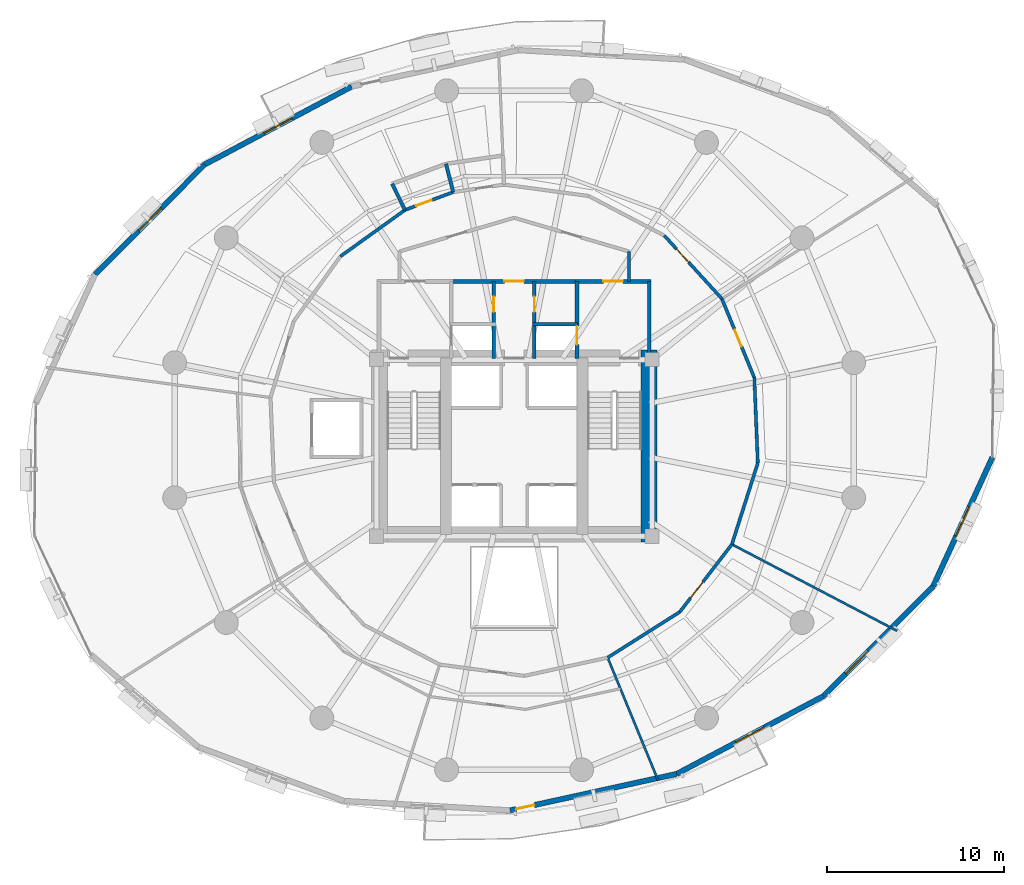
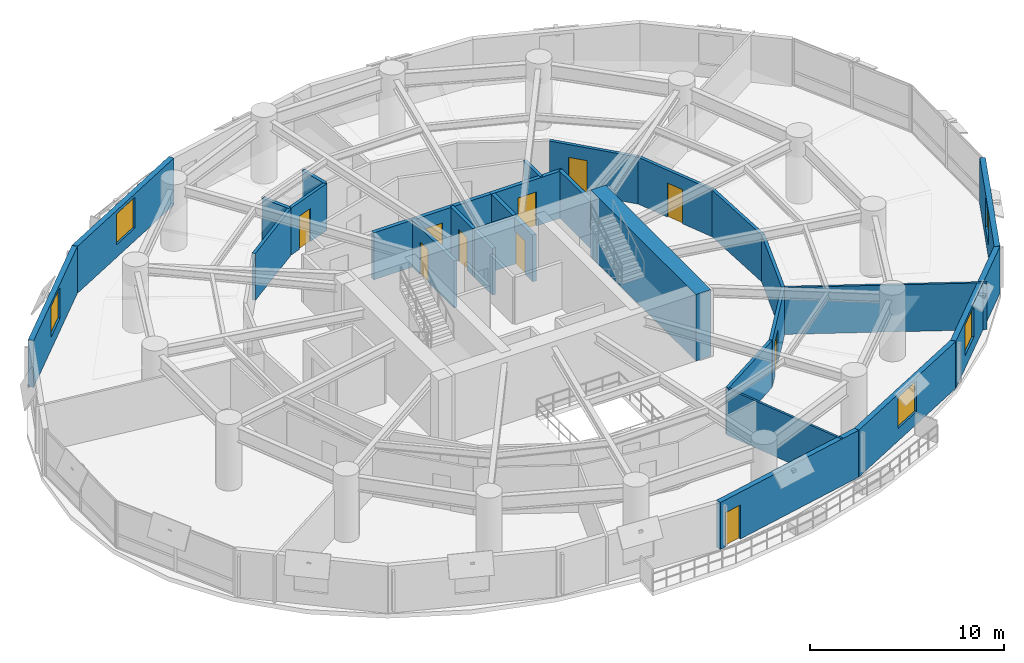
# One storey, part 13 of 17: 27 walls, 10 doors, 5 windows, 15 openings.
"""IFC4 building model written with IfcOpenShell, lengths in metres."""

from ifc_helpers import new_model, si_unit, direction, frame, frame_2d, origin, place, context, subcontext, project, spatial, rectangle, extrude, material, layer, layer_set, type_object, element, fill, save


model = new_model("IFC4")

# Units and contexts
model_context = context("Model", 3, precision=1e-05, world=origin(), true_north=direction((0.0, 1.0)))
body_context = subcontext(model_context, "Body", "Model", "MODEL_VIEW")
ifc_project = project(units=[si_unit("LENGTHUNIT", "METRE"), si_unit("AREAUNIT", "SQUARE_METRE"), si_unit("VOLUMEUNIT", "CUBIC_METRE"), si_unit("PLANEANGLEUNIT", "RADIAN"), si_unit("MASSUNIT", "GRAM", prefix="KILO"), si_unit("THERMODYNAMICTEMPERATUREUNIT", "KELVIN"), si_unit("POWERUNIT", "WATT")], contexts=[model_context])

# Site, building, storey
site_placement = place(None, origin())
site = spatial("IfcSite", under=ifc_project, at=site_placement, CompositionType="ELEMENT")
building_placement = place(site_placement, origin())
building = spatial("IfcBuilding", under=site, at=building_placement, Name="Ocrelia Relay Tower", CompositionType="ELEMENT")
storey_placement = place(building_placement, frame((0.0, 0.0, 84.60009765625)))
storey = spatial("IfcBuildingStorey", under=building, at=storey_placement, Name="L19", CompositionType="ELEMENT", Elevation=84.60009765625)

# Walls
ifc_material_1 = material(Name="Concrete C70/85", Category="concrete")
ifc_layer_1 = layer(ifc_material_1, 0.89990234375, Name="Concrete C70/85")
ifc_layer_set_1 = layer_set([ifc_layer_1], Name="Concrete C70/85")
wall_type_1 = type_object("IfcWallType", Name="CW-CORE-900", PredefinedType="SHEAR", material=ifc_layer_set_1)
wall_1_placement = place(storey_placement, frame((41.637939453125, 19.662109375, 0.0), z_axis=(0.0, 0.0, 1.0), x_axis=(0.0, 1.0, 0.0)))
element("IfcWall", 1, at=wall_1_placement, inside=storey, type_object=wall_type_1, Name="L19 Core Shear Wall E", PredefinedType="SHEAR", context=body_context, shape_type="SweptSolid", body=[
    extrude(rectangle(XDim=10.8759765625, YDim=0.89990234375, at=frame_2d((5.43798828125, 0.0))), origin(), (0.0, 0.0, 1.0), 4.199951171875),
])
ifc_material_2 = material(Name="Gypsum Fireboard Partition EI60", Category="gypsum")
ifc_layer_2 = layer(ifc_material_2, 0.179931640625, Name="Gypsum Fireboard Partition EI60")
ifc_layer_set_2 = layer_set([ifc_layer_2], Name="Gypsum Fireboard Partition EI60")
wall_type_2 = type_object("IfcWallType", Name="W-CORR-EI60-180", PredefinedType="PARTITIONING", material=ifc_layer_set_2)
wall_2_placement = place(storey_placement, frame((40.5, 36.122802734375, 0.0), z_axis=(0.0, 0.0, 1.0), x_axis=(0.0, -1.0, 0.0)))
element("IfcWall", 2, at=wall_2_placement, inside=storey, type_object=wall_type_2, Name="L19 Smoke Lobby East Return", PredefinedType="PARTITIONING", context=body_context, shape_type="SweptSolid", body=[
    extrude(rectangle(XDim=1.69287109375, YDim=0.179931640625, at=frame_2d((0.846435546875, 0.0))), origin(), (0.0, 0.0, 1.0), 2.9599609375),
])

# Wall, opening, door
wall_3_placement = place(storey_placement, frame((30.550048828125, 39.485595703125, 0.0), z_axis=(0.0, 0.0, 1.0), x_axis=(-0.937591807845, -0.34773783496, 0.0)))
wall_3 = element("IfcWall", 3, at=wall_3_placement, inside=storey, type_object=wall_type_2, Name="L19 Accessible Toilet Corridor Wall", PredefinedType="PARTITIONING", context=body_context, shape_type="SweptSolid", body=[
    extrude(rectangle(XDim=2.91015625, YDim=0.179931640625, at=frame_2d((1.455078125, 0.0))), origin(), (0.0, 0.0, 1.0), 2.9599609375),
])
opening_1_placement = place(wall_3_placement, frame((1.321044921875, 0.0, 0.0)))
opening_1 = element("IfcOpeningElement", 4, at=opening_1_placement, cuts=wall_3, Name="Opening D-WC92", PredefinedType="OPENING", context=body_context, shape_type="SweptSolid", body=[
    extrude(rectangle(XDim=0.919921875, YDim=2.10009765625, at=frame_2d((0.4599609375, 1.050048828125))), frame((0.0, 0.10009765625, 0.0), z_axis=(0.0, -1.0, 0.0), x_axis=(1.0, 0.0, 0.0)), (0.0, 0.0, 1.0), 0.199951171875),
])
ifc_material_3 = material(Name="Laminate washroom door", Category="wood")
door_type_1 = type_object("IfcDoorType", Name="DR-WC-920", OperationType="NOTDEFINED", PredefinedType="DOOR", material=ifc_material_3)
door_1_placement = place(opening_1_placement, origin())
door_1 = element("IfcDoor", 5, at=door_1_placement, inside=storey, type_object=door_type_1, Name="L19 Accessible Toilet Door", OperationType="SINGLE_SWING_LEFT", OverallHeight=2.10009765625, OverallWidth=0.919921875, PredefinedType="DOOR", context=body_context, shape_type="SweptSolid", body=[
    extrude(rectangle(XDim=0.919921875, YDim=2.10009765625, at=frame_2d((0.4599609375, 1.050048828125))), frame((0.0, 0.02490234375, 0.0), z_axis=(0.0, -1.0, 0.0), x_axis=(1.0, 0.0, 0.0)), (0.0, 0.0, 1.0), 0.050048828125),
])
fill(opening_1, door_1)

# Walls
wall_4_placement = place(storey_placement, frame((27.821533203125, 38.4736328125, 0.0), z_axis=(0.0, 0.0, 1.0), x_axis=(-0.812254756388, -0.583302846492, 0.0)))
element("IfcWall", 6, at=wall_4_placement, inside=storey, type_object=wall_type_2, Name="L19 Operations Control Office Corridor Partition 1", PredefinedType="PARTITIONING", context=body_context, shape_type="SweptSolid", body=[
    extrude(rectangle(XDim=4.514892578125, YDim=0.179931640625, at=frame_2d((2.25732421875, 0.0))), origin(), (0.0, 0.0, 1.0), 2.9599609375),
])
wall_5_placement = place(storey_placement, frame((39.293212890625, 13.125732421875, 0.0), z_axis=(0.0, 0.0, 1.0), x_axis=(0.844805378334, 0.535073707762, 0.0)))
element("IfcWall", 7, at=wall_5_placement, inside=storey, type_object=wall_type_2, Name="L19 Colocation Data Hall A Corridor Partition 1", PredefinedType="PARTITIONING", context=body_context, shape_type="SweptSolid", body=[
    extrude(rectangle(XDim=4.834228515625, YDim=0.179931640625, at=frame_2d((2.4169921875, 0.0))), origin(), (0.0, 0.0, 1.0), 2.9599609375),
])

# Wall, opening, door
wall_6_placement = place(storey_placement, frame((43.377197265625, 15.71240234375, 0.0), z_axis=(0.0, 0.0, 1.0), x_axis=(0.610827876175, 0.791763415224, 0.0)))
wall_6 = element("IfcWall", 8, at=wall_6_placement, inside=storey, type_object=wall_type_2, Name="L19 Colocation Data Hall A Corridor Partition 2", PredefinedType="PARTITIONING", context=body_context, shape_type="SweptSolid", body=[
    extrude(rectangle(XDim=4.834716796875, YDim=0.179931640625, at=frame_2d((2.41748046875, 0.0))), origin(), (0.0, 0.0, 1.0), 2.9599609375),
])
opening_2_placement = place(wall_6_placement, frame((0.99609375, 0.0, 0.0)))
opening_2 = element("IfcOpeningElement", 9, at=opening_2_placement, cuts=wall_6, Name="Opening D-RM115", PredefinedType="OPENING", context=body_context, shape_type="SweptSolid", body=[
    extrude(rectangle(XDim=1.14990234375, YDim=2.14990234375, at=frame_2d((0.574951171875, 1.074951171875))), frame((0.0, 0.10009765625, 0.0), z_axis=(0.0, -1.0, 0.0), x_axis=(1.0, 0.0, 0.0)), (0.0, 0.0, 1.0), 0.199951171875),
])
ifc_material_4 = material(Name="Wide acoustic oak veneer fire door", Category="wood")
door_type_2 = type_object("IfcDoorType", Name="DR-ROOM-1150", OperationType="NOTDEFINED", PredefinedType="DOOR", material=ifc_material_4)
door_2_placement = place(opening_2_placement, origin())
door_2 = element("IfcDoor", 10, at=door_2_placement, inside=storey, type_object=door_type_2, Name="L19 Colocation Data Hall A Entrance Door", OperationType="SINGLE_SWING_LEFT", OverallHeight=2.14990234375, OverallWidth=1.14990234375, PredefinedType="DOOR", context=body_context, shape_type="SweptSolid", body=[
    extrude(rectangle(XDim=1.14990234375, YDim=2.14990234375, at=frame_2d((0.574951171875, 1.074951171875))), frame((0.0, 0.02490234375, 0.0), z_axis=(0.0, -1.0, 0.0), x_axis=(1.0, 0.0, 0.0)), (0.0, 0.0, 1.0), 0.050048828125),
])
fill(opening_2, door_2)

# Walls
wall_7_placement = place(storey_placement, frame((46.330322265625, 19.540283203125, 0.0), z_axis=(0.0, 0.0, 1.0), x_axis=(0.303214079813, 0.952922463689, 0.0)))
element("IfcWall", 11, at=wall_7_placement, inside=storey, type_object=wall_type_2, Name="L19 Staff Wellness Room Corridor Partition 1", PredefinedType="PARTITIONING", context=body_context, shape_type="SweptSolid", body=[
    extrude(rectangle(XDim=4.834228515625, YDim=0.179931640625, at=frame_2d((2.4169921875, 0.0))), origin(), (0.0, 0.0, 1.0), 2.9599609375),
])
wall_8_placement = place(storey_placement, frame((47.796142578125, 24.14697265625, 0.0), z_axis=(0.0, 0.0, 1.0), x_axis=(-0.041006671954, 0.99915887268, 0.0)))
element("IfcWall", 12, at=wall_8_placement, inside=storey, type_object=wall_type_2, Name="L19 Staff Wellness Room Corridor Partition 2", PredefinedType="PARTITIONING", context=body_context, shape_type="SweptSolid", body=[
    extrude(rectangle(XDim=4.83447265625, YDim=0.179931640625, at=frame_2d((2.417236328125, 0.0))), origin(), (0.0, 0.0, 1.0), 2.9599609375),
])

# Wall, opening, door
wall_9_placement = place(storey_placement, frame((47.597900390625, 28.977294921875, 0.0), z_axis=(0.0, 0.0, 1.0), x_axis=(-0.380272236521, 0.924874600219, 0.0)))
wall_9 = element("IfcWall", 13, at=wall_9_placement, inside=storey, type_object=wall_type_2, Name="L19 Staff Wellness Room Corridor Partition 3", PredefinedType="PARTITIONING", context=body_context, shape_type="SweptSolid", body=[
    extrude(rectangle(XDim=4.83447265625, YDim=0.179931640625, at=frame_2d((2.417236328125, 0.0))), origin(), (0.0, 0.0, 1.0), 2.9599609375),
])
opening_3_placement = place(wall_9_placement, frame((1.9169921875, 0.0, 0.0)))
opening_3 = element("IfcOpeningElement", 14, at=opening_3_placement, cuts=wall_9, Name="Opening D-RM100", PredefinedType="OPENING", context=body_context, shape_type="SweptSolid", body=[
    extrude(rectangle(XDim=1.0, YDim=2.14990234375, at=frame_2d((0.5, 1.074951171875))), frame((0.0, 0.10009765625, 0.0), z_axis=(0.0, -1.0, 0.0), x_axis=(1.0, 0.0, 0.0)), (0.0, 0.0, 1.0), 0.199951171875),
])
ifc_material_5 = material(Name="Acoustic oak veneer fire door", Category="wood")
door_type_3 = type_object("IfcDoorType", Name="DR-ROOM-FD60-1000", OperationType="NOTDEFINED", PredefinedType="DOOR", material=ifc_material_5)
door_3_placement = place(opening_3_placement, origin())
door_3 = element("IfcDoor", 15, at=door_3_placement, inside=storey, type_object=door_type_3, Name="L19 Staff Wellness Room Entrance Door", OperationType="SINGLE_SWING_RIGHT", OverallHeight=2.14990234375, OverallWidth=1.0, PredefinedType="DOOR", context=body_context, shape_type="SweptSolid", body=[
    extrude(rectangle(XDim=1.0, YDim=2.14990234375, at=frame_2d((0.5, 1.074951171875))), frame((0.0, 0.02490234375, 0.0), z_axis=(0.0, -1.0, 0.0), x_axis=(1.0, 0.0, 0.0)), (0.0, 0.0, 1.0), 0.050048828125),
])
fill(opening_3, door_3)

wall_10_placement = place(storey_placement, frame((45.759521484375, 33.448486328125, 0.0), z_axis=(0.0, 0.0, 1.0), x_axis=(-0.673677614221, 0.739025352811, 0.0)))
wall_10 = element("IfcWall", 16, at=wall_10_placement, inside=storey, type_object=wall_type_2, Name="L19 Innovation Club Room Corridor Partition 1", PredefinedType="PARTITIONING", context=body_context, shape_type="SweptSolid", body=[
    extrude(rectangle(XDim=4.83447265625, YDim=0.179931640625, at=frame_2d((2.417236328125, 0.0))), origin(), (0.0, 0.0, 1.0), 2.9599609375),
])
opening_4_placement = place(wall_10_placement, frame((2.80078125, 0.0, 0.0)))
opening_4 = element("IfcOpeningElement", 17, at=opening_4_placement, cuts=wall_10, Name="Opening D-RM100", PredefinedType="OPENING", context=body_context, shape_type="SweptSolid", body=[
    extrude(rectangle(XDim=1.0, YDim=2.14990234375, at=frame_2d((0.5, 1.074951171875))), frame((0.0, 0.10009765625, 0.0), z_axis=(0.0, -1.0, 0.0), x_axis=(1.0, 0.0, 0.0)), (0.0, 0.0, 1.0), 0.199951171875),
])
door_4_placement = place(opening_4_placement, origin())
door_4 = element("IfcDoor", 18, at=door_4_placement, inside=storey, type_object=door_type_3, Name="L19 Innovation Club Room Entrance Door", OperationType="SINGLE_SWING_LEFT", OverallHeight=2.14990234375, OverallWidth=1.0, PredefinedType="DOOR", context=body_context, shape_type="SweptSolid", body=[
    extrude(rectangle(XDim=1.0, YDim=2.14990234375, at=frame_2d((0.5, 1.074951171875))), frame((0.0, 0.02490234375, 0.0), z_axis=(0.0, -1.0, 0.0), x_axis=(1.0, 0.0, 0.0)), (0.0, 0.0, 1.0), 0.050048828125),
])
fill(opening_4, door_4)

# Wall, opening, window
ifc_material_6 = material(Name="Precast concrete C40/50 with oxide terracotta", Category="masonry")
ifc_layer_3 = layer(ifc_material_6, 0.300048828125, Name="Precast concrete C40/50 with oxide terracotta")
ifc_layer_set_3 = layer_set([ifc_layer_3], Name="Precast concrete C40/50 with oxide terracotta")
wall_type_3 = type_object("IfcWallType", Name="W-EXT-TERR-300", PredefinedType="SOLIDWALL", material=ifc_layer_set_3)
wall_11_placement = place(storey_placement, frame((24.7978515625, 45.45849609375, 0.0), z_axis=(0.0, 0.0, 1.0), x_axis=(-0.883498349033, -0.468434272076, 0.0)))
wall_11 = element("IfcWall", 19, at=wall_11_placement, inside=storey, type_object=wall_type_3, Name="L19 Oxide Terracotta Facade Wall 06", PredefinedType="SOLIDWALL", context=body_context, shape_type="SweptSolid", body=[
    extrude(rectangle(XDim=9.4189453125, YDim=0.300048828125, at=frame_2d((4.70947265625, 0.0))), origin(), (0.0, 0.0, 1.0), 2.9599609375),
])
opening_5_placement = place(wall_11_placement, frame((3.80908203125, 0.0, 0.800048828125)))
opening_5 = element("IfcOpeningElement", 20, at=opening_5_placement, cuts=wall_11, Name="Opening W-02", PredefinedType="OPENING", context=body_context, shape_type="SweptSolid", body=[
    extrude(rectangle(XDim=1.800048828125, YDim=1.949951171875, at=frame_2d((0.89990234375, 0.97509765625))), frame((0.0, 0.16015625, 0.0), z_axis=(0.0, -1.0, 0.0), x_axis=(1.0, 0.0, 0.0)), (0.0, 0.0, 1.0), 0.320068359375),
])
ifc_material_7 = material(Name="Clear double-glazed low-E glass", Category="glass")
window_type = type_object("IfcWindowType", Name="WIN-Z1-1800x2100", PartitioningType="DOUBLE_PANEL_VERTICAL", PredefinedType="WINDOW", material=ifc_material_7)
window_1_placement = place(opening_5_placement, origin())
window_1 = element("IfcWindow", 21, at=window_1_placement, inside=storey, type_object=window_type, Name="L19 Facade Module Window 06", OverallHeight=1.949951171875, OverallWidth=1.800048828125, PartitioningType="SINGLE_PANEL", PredefinedType="WINDOW", context=body_context, shape_type="SweptSolid", body=[
    extrude(rectangle(XDim=1.800048828125, YDim=1.949951171875, at=frame_2d((0.89990234375, 0.97509765625))), frame((0.0, 0.030029296875, 0.0), z_axis=(0.0, -1.0, 0.0), x_axis=(1.0, 0.0, 0.0)), (0.0, 0.0, 1.0), 0.06005859375),
])
fill(opening_5, window_1)

wall_12_placement = place(storey_placement, frame((16.476318359375, 41.04638671875, 0.0), z_axis=(0.0, 0.0, 1.0), x_axis=(-0.7060369774, -0.708174968877, 0.0)))
wall_12 = element("IfcWall", 22, at=wall_12_placement, inside=storey, type_object=wall_type_3, Name="L19 Oxide Terracotta Facade Wall 07", PredefinedType="SOLIDWALL", context=body_context, shape_type="SweptSolid", body=[
    extrude(rectangle(XDim=8.792724609375, YDim=0.300048828125, at=frame_2d((4.396484375, 0.0))), origin(), (0.0, 0.0, 1.0), 2.9599609375),
])
opening_6_placement = place(wall_12_placement, frame((3.49609375, 0.0, 0.800048828125)))
opening_6 = element("IfcOpeningElement", 23, at=opening_6_placement, cuts=wall_12, Name="Opening W-02", PredefinedType="OPENING", context=body_context, shape_type="SweptSolid", body=[
    extrude(rectangle(XDim=1.800048828125, YDim=1.949951171875, at=frame_2d((0.89990234375, 0.97509765625))), frame((0.0, 0.16015625, 0.0), z_axis=(0.0, -1.0, 0.0), x_axis=(1.0, 0.0, 0.0)), (0.0, 0.0, 1.0), 0.320068359375),
])
window_2_placement = place(opening_6_placement, origin())
window_2 = element("IfcWindow", 24, at=window_2_placement, inside=storey, type_object=window_type, Name="L19 Facade Module Window 07", OverallHeight=1.949951171875, OverallWidth=1.800048828125, PartitioningType="SINGLE_PANEL", PredefinedType="WINDOW", context=body_context, shape_type="SweptSolid", body=[
    extrude(rectangle(XDim=1.800048828125, YDim=1.949951171875, at=frame_2d((0.89990234375, 0.97509765625))), frame((0.0, 0.030029296875, 0.0), z_axis=(0.0, -1.0, 0.0), x_axis=(1.0, 0.0, 0.0)), (0.0, 0.0, 1.0), 0.06005859375),
])
fill(opening_6, window_2)

# Wall, opening, door
wall_13_placement = place(storey_placement, frame((33.770751953125, 4.4765625, 0.0), z_axis=(0.0, 0.0, 1.0), x_axis=(0.97686057385, 0.213877112516, 0.0)))
wall_13 = element("IfcWall", 25, at=wall_13_placement, inside=storey, type_object=wall_type_3, Name="L19 Oxide Terracotta Facade Wall 14", PredefinedType="SOLIDWALL", context=body_context, shape_type="SweptSolid", body=[
    extrude(rectangle(XDim=9.65478515625, YDim=0.300048828125, at=frame_2d((4.827392578125, 0.0))), origin(), (0.0, 0.0, 1.0), 2.9599609375),
])
opening_7_placement = place(wall_13_placement, frame((0.35009765625, 0.0, 0.0)))
opening_7 = element("IfcOpeningElement", 26, at=opening_7_placement, cuts=wall_13, Name="Opening DB-105", PredefinedType="OPENING", context=body_context, shape_type="SweptSolid", body=[
    extrude(rectangle(XDim=1.050048828125, YDim=2.14990234375, at=frame_2d((0.52490234375, 1.074951171875))), frame((0.0, 0.16015625, 0.0), z_axis=(0.0, -1.0, 0.0), x_axis=(1.0, 0.0, 0.0)), (0.0, 0.0, 1.0), 0.320068359375),
])
ifc_material_8 = material(Name="Thermally broken aluminium and clear glass", Category="aluminium")
door_type_4 = type_object("IfcDoorType", Name="DR-BALC-1050", OperationType="NOTDEFINED", PredefinedType="DOOR", material=ifc_material_8)
door_5_placement = place(opening_7_placement, origin())
door_5 = element("IfcDoor", 27, at=door_5_placement, inside=storey, type_object=door_type_4, Name="L19 Planted Loggia Balcony Door B2", OperationType="SINGLE_SWING_LEFT", OverallHeight=2.14990234375, OverallWidth=1.050048828125, PredefinedType="DOOR", context=body_context, shape_type="SweptSolid", body=[
    extrude(rectangle(XDim=1.050048828125, YDim=2.14990234375, at=frame_2d((0.52490234375, 1.074951171875))), frame((0.0, 0.02490234375, 0.0), z_axis=(0.0, -1.0, 0.0), x_axis=(1.0, 0.0, 0.0)), (0.0, 0.0, 1.0), 0.050048828125),
])
fill(opening_7, door_5)

# Wall, opening, window
wall_14_placement = place(storey_placement, frame((43.2021484375, 6.54150390625, 0.0), z_axis=(0.0, 0.0, 1.0), x_axis=(0.883498349033, 0.468434272076, 0.0)))
wall_14 = element("IfcWall", 28, at=wall_14_placement, inside=storey, type_object=wall_type_3, Name="L19 Oxide Terracotta Facade Wall 15", PredefinedType="SOLIDWALL", context=body_context, shape_type="SweptSolid", body=[
    extrude(rectangle(XDim=9.4189453125, YDim=0.300048828125, at=frame_2d((4.70947265625, 0.0))), origin(), (0.0, 0.0, 1.0), 2.9599609375),
])
opening_8_placement = place(wall_14_placement, frame((3.80908203125, 0.0, 0.800048828125)))
opening_8 = element("IfcOpeningElement", 29, at=opening_8_placement, cuts=wall_14, Name="Opening W-02", PredefinedType="OPENING", context=body_context, shape_type="SweptSolid", body=[
    extrude(rectangle(XDim=1.800048828125, YDim=1.949951171875, at=frame_2d((0.89990234375, 0.97509765625))), frame((0.0, 0.16015625, 0.0), z_axis=(0.0, -1.0, 0.0), x_axis=(1.0, 0.0, 0.0)), (0.0, 0.0, 1.0), 0.320068359375),
])
window_3_placement = place(opening_8_placement, origin())
window_3 = element("IfcWindow", 30, at=window_3_placement, inside=storey, type_object=window_type, Name="L19 Facade Module Window 15", OverallHeight=1.949951171875, OverallWidth=1.800048828125, PartitioningType="SINGLE_PANEL", PredefinedType="WINDOW", context=body_context, shape_type="SweptSolid", body=[
    extrude(rectangle(XDim=1.800048828125, YDim=1.949951171875, at=frame_2d((0.89990234375, 0.97509765625))), frame((0.0, 0.030029296875, 0.0), z_axis=(0.0, -1.0, 0.0), x_axis=(1.0, 0.0, 0.0)), (0.0, 0.0, 1.0), 0.06005859375),
])
fill(opening_8, window_3)

wall_15_placement = place(storey_placement, frame((51.523681640625, 10.95361328125, 0.0), z_axis=(0.0, 0.0, 1.0), x_axis=(0.7060369774, 0.708174968877, 0.0)))
wall_15 = element("IfcWall", 31, at=wall_15_placement, inside=storey, type_object=wall_type_3, Name="L19 Oxide Terracotta Facade Wall 16", PredefinedType="SOLIDWALL", context=body_context, shape_type="SweptSolid", body=[
    extrude(rectangle(XDim=8.792724609375, YDim=0.300048828125, at=frame_2d((4.396484375, 0.0))), origin(), (0.0, 0.0, 1.0), 2.9599609375),
])
opening_9_placement = place(wall_15_placement, frame((1.7900390625, 0.0, 0.800048828125)))
opening_9 = element("IfcOpeningElement", 32, at=opening_9_placement, cuts=wall_15, Name="Opening W-02", PredefinedType="OPENING", context=body_context, shape_type="SweptSolid", body=[
    extrude(rectangle(XDim=1.800048828125, YDim=1.949951171875, at=frame_2d((0.89990234375, 0.97509765625))), frame((0.0, 0.16015625, 0.0), z_axis=(0.0, -1.0, 0.0), x_axis=(1.0, 0.0, 0.0)), (0.0, 0.0, 1.0), 0.320068359375),
])
window_4_placement = place(opening_9_placement, origin())
window_4 = element("IfcWindow", 33, at=window_4_placement, inside=storey, type_object=window_type, Name="L19 Facade Module Window 16", OverallHeight=1.949951171875, OverallWidth=1.800048828125, PartitioningType="SINGLE_PANEL", PredefinedType="WINDOW", context=body_context, shape_type="SweptSolid", body=[
    extrude(rectangle(XDim=1.800048828125, YDim=1.949951171875, at=frame_2d((0.89990234375, 0.97509765625))), frame((0.0, 0.030029296875, 0.0), z_axis=(0.0, -1.0, 0.0), x_axis=(1.0, 0.0, 0.0)), (0.0, 0.0, 1.0), 0.06005859375),
])
fill(opening_9, window_4)

wall_16_placement = place(storey_placement, frame((57.731689453125, 17.180419921875, 0.0), z_axis=(0.0, 0.0, 1.0), x_axis=(0.417063391763, 0.908877399461, 0.0)))
wall_16 = element("IfcWall", 34, at=wall_16_placement, inside=storey, type_object=wall_type_3, Name="L19 Oxide Terracotta Facade Wall 17", PredefinedType="SOLIDWALL", context=body_context, shape_type="SweptSolid", body=[
    extrude(rectangle(XDim=8.021484375, YDim=0.300048828125, at=frame_2d((4.0107421875, 0.0))), origin(), (0.0, 0.0, 1.0), 2.9599609375),
])
opening_10_placement = place(wall_16_placement, frame((3.111083984375, 0.0, 0.800048828125)))
opening_10 = element("IfcOpeningElement", 35, at=opening_10_placement, cuts=wall_16, Name="Opening W-02", PredefinedType="OPENING", context=body_context, shape_type="SweptSolid", body=[
    extrude(rectangle(XDim=1.800048828125, YDim=1.949951171875, at=frame_2d((0.89990234375, 0.97509765625))), frame((0.0, 0.16015625, 0.0), z_axis=(0.0, -1.0, 0.0), x_axis=(1.0, 0.0, 0.0)), (0.0, 0.0, 1.0), 0.320068359375),
])
window_5_placement = place(opening_10_placement, origin())
window_5 = element("IfcWindow", 36, at=window_5_placement, inside=storey, type_object=window_type, Name="L19 Facade Module Window 17", OverallHeight=1.949951171875, OverallWidth=1.800048828125, PartitioningType="SINGLE_PANEL", PredefinedType="WINDOW", context=body_context, shape_type="SweptSolid", body=[
    extrude(rectangle(XDim=1.800048828125, YDim=1.949951171875, at=frame_2d((0.89990234375, 0.97509765625))), frame((0.0, 0.030029296875, 0.0), z_axis=(0.0, -1.0, 0.0), x_axis=(1.0, 0.0, 0.0)), (0.0, 0.0, 1.0), 0.06005859375),
])
fill(opening_10, window_5)

# Wall, opening, door
ifc_material_9 = material(Name="Concrete C50/60", Category="concrete")
ifc_layer_4 = layer(ifc_material_9, 0.219970703125, Name="Concrete C50/60")
ifc_layer_set_4 = layer_set([ifc_layer_4], Name="Concrete C50/60")
wall_type_4 = type_object("IfcWallType", Name="W-FFL-EI120-220", PredefinedType="SOLIDWALL", material=ifc_layer_set_4)
wall_17_placement = place(storey_placement, frame((37.56005859375, 30.050048828125, 0.0), z_axis=(0.0, 0.0, 1.0), x_axis=(0.0, 1.0, 0.0)))
wall_17 = element("IfcWall", 37, at=wall_17_placement, inside=storey, type_object=wall_type_4, Name="L19 E Fire Service Lift Lobby West Wall", PredefinedType="SOLIDWALL", context=body_context, shape_type="SweptSolid", body=[
    extrude(rectangle(XDim=4.3798828125, YDim=0.219970703125, at=frame_2d((2.18994140625, 0.0))), origin(), (0.0, 0.0, 1.0), 2.9599609375),
])
opening_11_placement = place(wall_17_placement, frame((0.800048828125, 0.0, 0.0)))
opening_11 = element("IfcOpeningElement", 38, at=opening_11_placement, cuts=wall_17, Name="Opening LD-FFL2", PredefinedType="OPENING", context=body_context, shape_type="SweptSolid", body=[
    extrude(rectangle(XDim=1.050048828125, YDim=2.10009765625, at=frame_2d((0.52490234375, 1.050048828125))), frame((0.0, 0.1201171875, 0.0), z_axis=(0.0, -1.0, 0.0), x_axis=(1.0, 0.0, 0.0)), (0.0, 0.0, 1.0), 0.239990234375),
])
ifc_material_10 = material(Name="Brushed stainless steel S355 lift landing door", Category="steel")
door_type_5 = type_object("IfcDoorType", Name="DR-LIFT-LAND-1050", OperationType="DOUBLE_DOOR_SLIDING", PredefinedType="USERDEFINED", material=ifc_material_10)
door_6_placement = place(opening_11_placement, origin())
door_6 = element("IfcDoor", 39, at=door_6_placement, inside=storey, type_object=door_type_5, Name="L19 Firefighting Lift FFL2 Sliding Landing Door", ObjectType="LANDING DOOR", OperationType="DOUBLE_DOOR_SLIDING", OverallHeight=2.10009765625, OverallWidth=1.050048828125, PredefinedType="USERDEFINED", context=body_context, shape_type="SweptSolid", body=[
    extrude(rectangle(XDim=1.050048828125, YDim=2.10009765625, at=frame_2d((0.52490234375, 1.050048828125))), frame((0.0, 0.02490234375, 0.0), z_axis=(0.0, -1.0, 0.0), x_axis=(1.0, 0.0, 0.0)), (0.0, 0.0, 1.0), 0.050048828125),
])
fill(opening_11, door_6)

# Wall
wall_18_placement = place(storey_placement, frame((41.64990234375, 30.050048828125, 0.0), z_axis=(0.0, 0.0, 1.0), x_axis=(0.0, 1.0, 0.0)))
element("IfcWall", 40, at=wall_18_placement, inside=storey, type_object=wall_type_4, Name="L19 E Fire Service Lift Lobby East Wall", PredefinedType="SOLIDWALL", context=body_context, shape_type="SweptSolid", body=[
    extrude(rectangle(XDim=4.3798828125, YDim=0.219970703125, at=frame_2d((2.18994140625, 0.0))), origin(), (0.0, 0.0, 1.0), 2.9599609375),
])

# Wall, opening, door
wall_19_placement = place(storey_placement, frame((37.449951171875, 34.429931640625, 0.0), z_axis=(0.0, 0.0, 1.0), x_axis=(1.0, 0.0, 0.0)))
wall_19 = element("IfcWall", 41, at=wall_19_placement, inside=storey, type_object=wall_type_4, Name="L19 E Fire Service Lift Lobby North Wall", PredefinedType="SOLIDWALL", context=body_context, shape_type="SweptSolid", body=[
    extrude(rectangle(XDim=4.31005859375, YDim=0.219970703125, at=frame_2d((2.155029296875, 0.0))), origin(), (0.0, 0.0, 1.0), 2.9599609375),
])
opening_12_placement = place(wall_19_placement, frame((1.60009765625, 0.0, 0.0)))
opening_12 = element("IfcOpeningElement", 42, at=opening_12_placement, cuts=wall_19, Name="Opening D-FD60", PredefinedType="OPENING", context=body_context, shape_type="SweptSolid", body=[
    extrude(rectangle(XDim=1.10009765625, YDim=2.14990234375, at=frame_2d((0.550048828125, 1.074951171875))), frame((0.0, 0.1201171875, 0.0), z_axis=(0.0, -1.0, 0.0), x_axis=(1.0, 0.0, 0.0)), (0.0, 0.0, 1.0), 0.239990234375),
])
ifc_material_11 = material(Name="Timber-core 60-min acoustic fire door", Category="wood")
door_type_6 = type_object("IfcDoorType", Name="DR-LOBBY-FD60-1100", OperationType="NOTDEFINED", PredefinedType="DOOR", material=ifc_material_11)
door_7_placement = place(opening_12_placement, origin())
door_7 = element("IfcDoor", 43, at=door_7_placement, inside=storey, type_object=door_type_6, Name="L19 E Fire Service Lift Lobby Exit Door", OperationType="SINGLE_SWING_LEFT", OverallHeight=2.14990234375, OverallWidth=1.10009765625, PredefinedType="DOOR", context=body_context, shape_type="SweptSolid", body=[
    extrude(rectangle(XDim=1.10009765625, YDim=2.14990234375, at=frame_2d((0.550048828125, 1.074951171875))), frame((0.0, 0.02490234375, 0.0), z_axis=(0.0, -1.0, 0.0), x_axis=(1.0, 0.0, 0.0)), (0.0, 0.0, 1.0), 0.050048828125),
])
fill(opening_12, door_7)

wall_20_placement = place(storey_placement, frame((30.43994140625, 34.429931640625, 0.0), z_axis=(0.0, 0.0, 1.0), x_axis=(1.0, 0.0, 0.0)))
wall_20 = element("IfcWall", 44, at=wall_20_placement, inside=storey, type_object=wall_type_4, Name="L19 North Core Vestibule Wall", PredefinedType="SOLIDWALL", context=body_context, shape_type="SweptSolid", body=[
    extrude(rectangle(XDim=7.1201171875, YDim=0.219970703125, at=frame_2d((3.56005859375, 0.0))), origin(), (0.0, 0.0, 1.0), 2.9599609375),
])
opening_13_placement = place(wall_20_placement, frame((3.010009765625, 0.0, 0.0)))
opening_13 = element("IfcOpeningElement", 45, at=opening_13_placement, cuts=wall_20, Name="Opening D-FD60", PredefinedType="OPENING", context=body_context, shape_type="SweptSolid", body=[
    extrude(rectangle(XDim=1.10009765625, YDim=2.14990234375, at=frame_2d((0.550048828125, 1.074951171875))), frame((0.0, 0.1201171875, 0.0), z_axis=(0.0, -1.0, 0.0), x_axis=(1.0, 0.0, 0.0)), (0.0, 0.0, 1.0), 0.239990234375),
])
door_8_placement = place(opening_13_placement, origin())
door_8 = element("IfcDoor", 46, at=door_8_placement, inside=storey, type_object=door_type_6, Name="L19 North Core Vestibule Corridor Door", OperationType="SINGLE_SWING_LEFT", OverallHeight=2.14990234375, OverallWidth=1.10009765625, PredefinedType="DOOR", context=body_context, shape_type="SweptSolid", body=[
    extrude(rectangle(XDim=1.10009765625, YDim=2.14990234375, at=frame_2d((0.550048828125, 1.074951171875))), frame((0.0, 0.02490234375, 0.0), z_axis=(0.0, -1.0, 0.0), x_axis=(1.0, 0.0, 0.0)), (0.0, 0.0, 1.0), 0.050048828125),
])
fill(opening_13, door_8)

# Walls
ifc_material_12 = material(Name="Acoustic Fireboard Partition EI60", Category="gypsum")
ifc_layer_5 = layer(ifc_material_12, 0.125, Name="Acoustic Fireboard Partition EI60")
ifc_layer_set_5 = layer_set([ifc_layer_5], Name="Acoustic Fireboard Partition EI60")
wall_type_5 = type_object("IfcWallType", Name="W-PART-125", PredefinedType="PARTITIONING", material=ifc_layer_set_5)
wall_21_placement = place(storey_placement, frame((39.293212890625, 13.125732421875, 0.0), z_axis=(0.0, 0.0, 1.0), x_axis=(0.380252950753, -0.924882529538, 0.0)))
element("IfcWall", 47, at=wall_21_placement, inside=storey, type_object=wall_type_5, Name="L19 Client Welcome Foyer Radial Partition", PredefinedType="PARTITIONING", context=body_context, shape_type="SweptSolid", body=[
    extrude(rectangle(XDim=7.513916015625, YDim=0.125, at=frame_2d((3.7568359375, 0.0))), origin(), (0.0, 0.0, 1.0), 2.9599609375),
])
wall_22_placement = place(storey_placement, frame((46.330322265625, 19.540283203125, 0.0), z_axis=(0.0, 0.0, 1.0), x_axis=(0.885792580472, -0.464081355348, 0.0)))
element("IfcWall", 48, at=wall_22_placement, inside=storey, type_object=wall_type_5, Name="L19 Colocation Data Hall A Radial Partition", PredefinedType="PARTITIONING", context=body_context, shape_type="SweptSolid", body=[
    extrude(rectangle(XDim=10.55029296875, YDim=0.125, at=frame_2d((5.275146484375, 0.0))), origin(), (0.0, 0.0, 1.0), 2.9599609375),
])
ifc_material_13 = material(Name="Moisture-Resistant Fireboard Chase Wall EI60", Category="gypsum")
ifc_layer_6 = layer(ifc_material_13, 0.199951171875, Name="Moisture-Resistant Fireboard Chase Wall EI60")
ifc_layer_set_6 = layer_set([ifc_layer_6], Name="Moisture-Resistant Fireboard Chase Wall EI60")
wall_type_6 = type_object("IfcWallType", Name="W-PLUMB-200", PredefinedType="PLUMBINGWALL", material=ifc_layer_set_6)
for number, where, z_axis, x_axis, name in (
    (49, (30.550048828125, 39.485595703125, 0.0), (0.0, 0.0, 1.0), (-0.247823561588, 0.968805182852, 0.0), "L19 Staff Toilet Plumbing Radial Wall"),
    (50, (27.821533203125, 38.4736328125, 0.0), (0.0, 0.0, 1.0), (-0.443837252061, 0.896107411912, 0.0), "L19 Accessible Toilet Plumbing Radial Wall"),
):
    element("IfcWall", number, at=place(storey_placement, frame(where, z_axis=z_axis, x_axis=x_axis)), inside=storey, type_object=wall_type_6, Name=name, PredefinedType="PLUMBINGWALL", context=body_context, shape_type="SweptSolid", body=[
        extrude(rectangle(XDim=1.650146484375, YDim=0.199951171875, at=frame_2d((0.8251953125, 0.0))), origin(), (0.0, 0.0, 1.0), 2.9599609375),
    ])

# Wall, opening, door
ifc_layer_7 = layer(ifc_material_9, 0.199951171875, Name="Concrete C50/60")
ifc_layer_set_7 = layer_set([ifc_layer_7], Name="Concrete C50/60")
wall_type_7 = type_object("IfcWallType", Name="W-SHAFT-EI120-200", PredefinedType="SOLIDWALL", material=ifc_layer_set_7)
wall_23_placement = place(storey_placement, frame((32.85009765625, 30.050048828125, 0.0), z_axis=(0.0, 0.0, 1.0), x_axis=(0.0, 1.0, 0.0)))
wall_23 = element("IfcWall", 51, at=wall_23_placement, inside=storey, type_object=wall_type_7, Name="L19 FFL1 and Service Vestibule Wall", PredefinedType="SOLIDWALL", context=body_context, shape_type="SweptSolid", body=[
    extrude(rectangle(XDim=4.3798828125, YDim=0.199951171875, at=frame_2d((2.18994140625, 0.0))), origin(), (0.0, 0.0, 1.0), 2.9599609375),
])
opening_14_placement = place(wall_23_placement, frame((2.64990234375, 0.0, 0.0)))
opening_14 = element("IfcOpeningElement", 52, at=opening_14_placement, cuts=wall_23, Name="Opening D-RS86", PredefinedType="OPENING", context=body_context, shape_type="SweptSolid", body=[
    extrude(rectangle(XDim=0.860107421875, YDim=2.050048828125, at=frame_2d((0.43017578125, 1.02490234375))), frame((0.0, 0.10986328125, 0.0), z_axis=(0.0, -1.0, 0.0), x_axis=(1.0, 0.0, 0.0)), (0.0, 0.0, 1.0), 0.219970703125),
])
ifc_material_14 = material(Name="Steel S355 riser access fire door", Category="steel")
door_type_7 = type_object("IfcDoorType", Name="DR-RISER-TRAP-860", OperationType="NOTDEFINED", PredefinedType="TRAPDOOR", material=ifc_material_14)
door_9_placement = place(opening_14_placement, origin())
door_9 = element("IfcDoor", 53, at=door_9_placement, inside=storey, type_object=door_type_7, Name="L19 Core Support Room W Door", OperationType="SINGLE_SWING_RIGHT", OverallHeight=2.050048828125, OverallWidth=0.860107421875, PredefinedType="TRAPDOOR", context=body_context, shape_type="SweptSolid", body=[
    extrude(rectangle(XDim=0.860107421875, YDim=2.050048828125, at=frame_2d((0.43017578125, 1.02490234375))), frame((0.0, 0.02490234375, 0.0), z_axis=(0.0, -1.0, 0.0), x_axis=(1.0, 0.0, 0.0)), (0.0, 0.0, 1.0), 0.050048828125),
])
fill(opening_14, door_9)

# Wall
wall_24_placement = place(storey_placement, frame((35.050048828125, 32.0, 0.0), z_axis=(0.0, 0.0, 1.0), x_axis=(1.0, 0.0, 0.0)))
element("IfcWall", 54, at=wall_24_placement, inside=storey, type_object=wall_type_7, Name="L19 FFL2 Hoistway North Wall", PredefinedType="SOLIDWALL", context=body_context, shape_type="SweptSolid", body=[
    extrude(rectangle(XDim=2.550048828125, YDim=0.199951171875, at=frame_2d((1.27490234375, 0.0))), origin(), (0.0, 0.0, 1.0), 2.9599609375),
])

# Wall, opening, door
wall_25_placement = place(storey_placement, frame((35.14990234375, 30.050048828125, 0.0), z_axis=(0.0, 0.0, 1.0), x_axis=(0.0, 1.0, 0.0)))
wall_25 = element("IfcWall", 55, at=wall_25_placement, inside=storey, type_object=wall_type_7, Name="L19 FFL2 and Service Vestibule Wall", PredefinedType="SOLIDWALL", context=body_context, shape_type="SweptSolid", body=[
    extrude(rectangle(XDim=4.3798828125, YDim=0.199951171875, at=frame_2d((2.18994140625, 0.0))), origin(), (0.0, 0.0, 1.0), 2.9599609375),
])
opening_15_placement = place(wall_25_placement, frame((2.64990234375, 0.0, 0.0)))
opening_15 = element("IfcOpeningElement", 56, at=opening_15_placement, cuts=wall_25, Name="Opening D-RS86", PredefinedType="OPENING", context=body_context, shape_type="SweptSolid", body=[
    extrude(rectangle(XDim=0.860107421875, YDim=2.050048828125, at=frame_2d((0.43017578125, 1.02490234375))), frame((0.0, 0.10986328125, 0.0), z_axis=(0.0, -1.0, 0.0), x_axis=(1.0, 0.0, 0.0)), (0.0, 0.0, 1.0), 0.219970703125),
])
door_10_placement = place(opening_15_placement, origin())
door_10 = element("IfcDoor", 57, at=door_10_placement, inside=storey, type_object=door_type_7, Name="L19 Core Support Room E Door", OperationType="SINGLE_SWING_RIGHT", OverallHeight=2.050048828125, OverallWidth=0.860107421875, PredefinedType="TRAPDOOR", context=body_context, shape_type="SweptSolid", body=[
    extrude(rectangle(XDim=0.860107421875, YDim=2.050048828125, at=frame_2d((0.43017578125, 1.02490234375))), frame((0.0, 0.02490234375, 0.0), z_axis=(0.0, -1.0, 0.0), x_axis=(1.0, 0.0, 0.0)), (0.0, 0.0, 1.0), 0.050048828125),
])
fill(opening_15, door_10)

save(model, "model.ifc")
